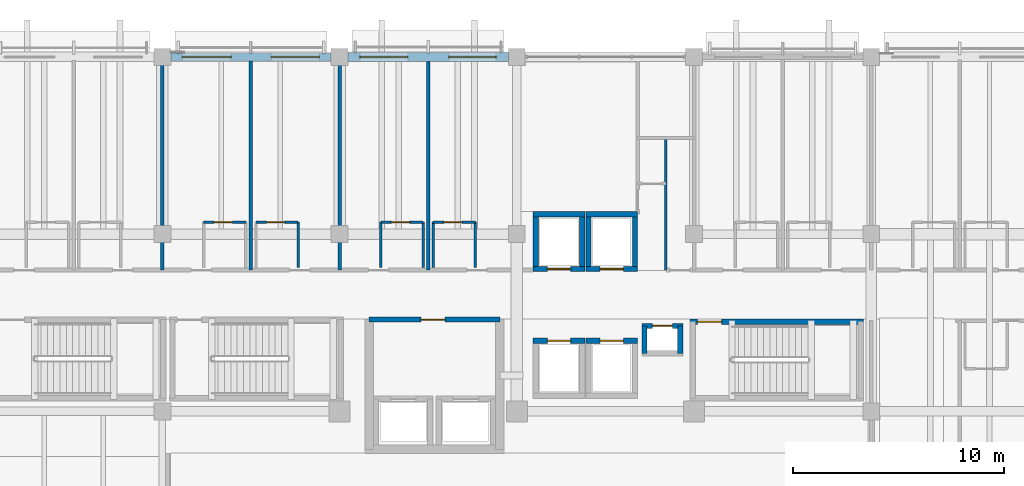
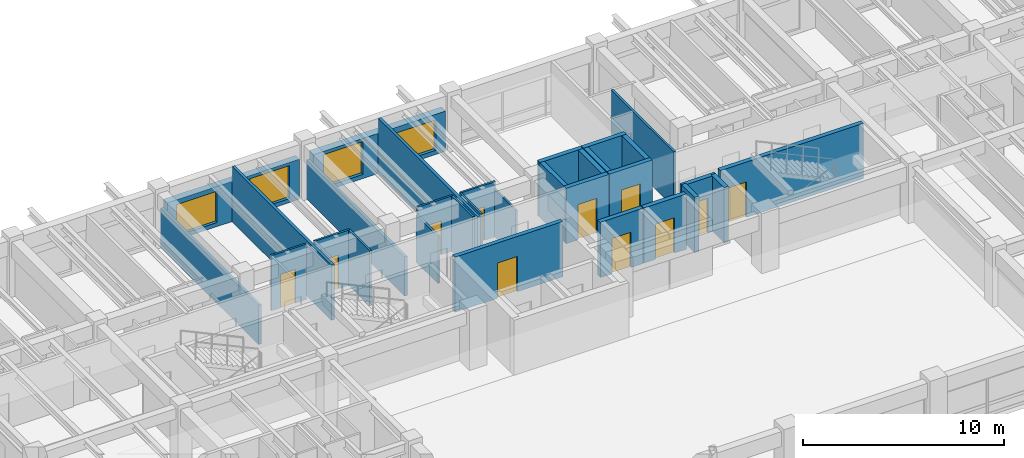
# One storey, part 73 of 118: 31 walls, 11 doors, 4 windows, 15 openings.
"""IFC4 building model written with IfcOpenShell, lengths in metres."""

from ifc_helpers import new_model, si_unit, direction, frame, frame_2d, origin, place, context, subcontext, project, spatial, rectangle, extrude, material, layer, layer_set, type_object, element, fill, save


model = new_model("IFC4")

# Units and contexts
model_context = context("Model", 3, precision=1e-05, world=origin(), true_north=direction((0.0, 1.0)))
body_context = subcontext(model_context, "Body", "Model", "MODEL_VIEW")
ifc_project = project(units=[si_unit("LENGTHUNIT", "METRE"), si_unit("AREAUNIT", "SQUARE_METRE"), si_unit("VOLUMEUNIT", "CUBIC_METRE"), si_unit("PLANEANGLEUNIT", "RADIAN"), si_unit("MASSUNIT", "GRAM", prefix="KILO")], contexts=[model_context])

# Site, building, storey
site_placement = place(None, origin())
site = spatial("IfcSite", under=ifc_project, at=site_placement, CompositionType="ELEMENT")
building_placement = place(site_placement, origin())
building = spatial("IfcBuilding", under=site, at=building_placement, Name="Cumbredor Promenade Congress Hotel", CompositionType="ELEMENT")
storey_placement = place(building_placement, frame((0.0, 0.0, 3.919921875)))
storey = spatial("IfcBuildingStorey", under=building, at=storey_placement, Name="L01", CompositionType="ELEMENT", Elevation=3.919921875)

# Wall, opening, door
ifc_material_1 = material(Name="Moisture-resistant gypsum board on steel studs", Category="steel")
ifc_layer_1 = layer(ifc_material_1, 0.114990234375, Name="Moisture-resistant gypsum board on steel studs", Category="steel")
ifc_layer_set_1 = layer_set([ifc_layer_1], Name="Moisture-resistant gypsum board on steel studs")
wall_type_1 = type_object("IfcWallType", Name="WL-BATH-115", PredefinedType="PARTITIONING", material=ifc_layer_set_1)
wall_1_placement = place(storey_placement, frame((18.760009765625, 109.77001953125, 0.0), z_axis=(0.0, 0.0, 1.0), x_axis=(1.0, 0.0, 0.0)))
wall_1 = element("IfcWall", 1, at=wall_1_placement, inside=storey, type_object=wall_type_1, Name="L01 Interior Partition W-L01-BH-0105", PredefinedType="PARTITIONING", context=body_context, shape_type="SweptSolid", body=[
    extrude(rectangle(XDim=2.0, YDim=0.114990234375, at=frame_2d((1.0, 0.0))), origin(), (0.0, 0.0, 1.0), 3.360107421875),
])
opening_1_placement = place(wall_1_placement, frame((0.5, 0.0, 0.0)))
opening_1 = element("IfcOpeningElement", 2, at=opening_1_placement, cuts=wall_1, Name="Opening ID-01", PredefinedType="OPENING", context=body_context, shape_type="SweptSolid", body=[
    extrude(rectangle(XDim=0.860107421875, YDim=2.050048828125, at=frame_2d((0.43017578125, 1.02490234375))), frame((0.0, 0.0673828125, 0.0), z_axis=(0.0, -1.0, 0.0), x_axis=(1.0, 0.0, 0.0)), (0.0, 0.0, 1.0), 0.135009765625),
])
ifc_material_2 = material(Name="Kiln-dried tropical hardwood", Category="wood")
door_type_1 = type_object("IfcDoorType", Name="DR-BATH-860", OperationType="NOTDEFINED", PredefinedType="DOOR", material=ifc_material_2)
door_1_placement = place(opening_1_placement, origin())
door_1 = element("IfcDoor", 3, at=door_1_placement, inside=storey, type_object=door_type_1, Name="L01 Interior Door W-L01-BH-0105-01", OperationType="SINGLE_SWING_LEFT", OverallHeight=2.050048828125, OverallWidth=0.860107421875, PredefinedType="DOOR", context=body_context, shape_type="SweptSolid", body=[
    extrude(rectangle(XDim=0.860107421875, YDim=2.050048828125, at=frame_2d((0.43017578125, 1.02490234375))), frame((0.0, 0.02490234375, 0.0), z_axis=(0.0, -1.0, 0.0), x_axis=(1.0, 0.0, 0.0)), (0.0, 0.0, 1.0), 0.050048828125),
])
fill(opening_1, door_1)

wall_2_placement = place(storey_placement, frame((21.239990234375, 109.77001953125, 0.0), z_axis=(0.0, 0.0, 1.0), x_axis=(1.0, 0.0, 0.0)))
wall_2 = element("IfcWall", 4, at=wall_2_placement, inside=storey, type_object=wall_type_1, Name="L01 Interior Partition W-L01-BH-0106", PredefinedType="PARTITIONING", context=body_context, shape_type="SweptSolid", body=[
    extrude(rectangle(XDim=2.0, YDim=0.114990234375, at=frame_2d((1.0, 0.0))), origin(), (0.0, 0.0, 1.0), 3.360107421875),
])
opening_2_placement = place(wall_2_placement, frame((0.5, 0.0, 0.0)))
opening_2 = element("IfcOpeningElement", 5, at=opening_2_placement, cuts=wall_2, Name="Opening ID-01", PredefinedType="OPENING", context=body_context, shape_type="SweptSolid", body=[
    extrude(rectangle(XDim=0.860107421875, YDim=2.050048828125, at=frame_2d((0.43017578125, 1.02490234375))), frame((0.0, 0.0673828125, 0.0), z_axis=(0.0, -1.0, 0.0), x_axis=(1.0, 0.0, 0.0)), (0.0, 0.0, 1.0), 0.135009765625),
])
door_2_placement = place(opening_2_placement, origin())
door_2 = element("IfcDoor", 6, at=door_2_placement, inside=storey, type_object=door_type_1, Name="L01 Interior Door W-L01-BH-0106-01", OperationType="SINGLE_SWING_RIGHT", OverallHeight=2.050048828125, OverallWidth=0.860107421875, PredefinedType="DOOR", context=body_context, shape_type="SweptSolid", body=[
    extrude(rectangle(XDim=0.860107421875, YDim=2.050048828125, at=frame_2d((0.43017578125, 1.02490234375))), frame((0.0, 0.02490234375, 0.0), z_axis=(0.0, -1.0, 0.0), x_axis=(1.0, 0.0, 0.0)), (0.0, 0.0, 1.0), 0.050048828125),
])
fill(opening_2, door_2)

# Wall
wall_3_placement = place(storey_placement, frame((23.239990234375, 107.6201171875, 0.0), z_axis=(0.0, 0.0, 1.0), x_axis=(0.0, 1.0, 0.0)))
element("IfcWall", 7, at=wall_3_placement, inside=storey, type_object=wall_type_1, Name="L01 Interior Partition W-L01-BV2-0106", PredefinedType="PARTITIONING", context=body_context, shape_type="SweptSolid", body=[
    extrude(rectangle(XDim=2.14990234375, YDim=0.114990234375, at=frame_2d((1.074951171875, 0.0))), origin(), (0.0, 0.0, 1.0), 3.360107421875),
])

# Wall, opening, door
wall_4_placement = place(storey_placement, frame((27.159912109375, 109.77001953125, 0.0), z_axis=(0.0, 0.0, 1.0), x_axis=(1.0, 0.0, 0.0)))
wall_4 = element("IfcWall", 8, at=wall_4_placement, inside=storey, type_object=wall_type_1, Name="L01 Interior Partition W-L01-BH-0107", PredefinedType="PARTITIONING", context=body_context, shape_type="SweptSolid", body=[
    extrude(rectangle(XDim=2.0, YDim=0.114990234375, at=frame_2d((1.0, 0.0))), origin(), (0.0, 0.0, 1.0), 3.360107421875),
])
opening_3_placement = place(wall_4_placement, frame((0.5, 0.0, 0.0)))
opening_3 = element("IfcOpeningElement", 9, at=opening_3_placement, cuts=wall_4, Name="Opening ID-01", PredefinedType="OPENING", context=body_context, shape_type="SweptSolid", body=[
    extrude(rectangle(XDim=0.860107421875, YDim=2.050048828125, at=frame_2d((0.43017578125, 1.02490234375))), frame((0.0, 0.0673828125, 0.0), z_axis=(0.0, -1.0, 0.0), x_axis=(1.0, 0.0, 0.0)), (0.0, 0.0, 1.0), 0.135009765625),
])
door_3_placement = place(opening_3_placement, origin())
door_3 = element("IfcDoor", 10, at=door_3_placement, inside=storey, type_object=door_type_1, Name="L01 Interior Door W-L01-BH-0107-01", OperationType="SINGLE_SWING_LEFT", OverallHeight=2.050048828125, OverallWidth=0.860107421875, PredefinedType="DOOR", context=body_context, shape_type="SweptSolid", body=[
    extrude(rectangle(XDim=0.860107421875, YDim=2.050048828125, at=frame_2d((0.43017578125, 1.02490234375))), frame((0.0, 0.02490234375, 0.0), z_axis=(0.0, -1.0, 0.0), x_axis=(1.0, 0.0, 0.0)), (0.0, 0.0, 1.0), 0.050048828125),
])
fill(opening_3, door_3)

# Walls
wall_5_placement = place(storey_placement, frame((27.159912109375, 107.6201171875, 0.0), z_axis=(0.0, 0.0, 1.0), x_axis=(0.0, 1.0, 0.0)))
element("IfcWall", 11, at=wall_5_placement, inside=storey, type_object=wall_type_1, Name="L01 Interior Partition W-L01-BV1-0107", PredefinedType="PARTITIONING", context=body_context, shape_type="SweptSolid", body=[
    extrude(rectangle(XDim=2.14990234375, YDim=0.114990234375, at=frame_2d((1.074951171875, 0.0))), origin(), (0.0, 0.0, 1.0), 2.882080078125),
])
wall_6_placement = place(storey_placement, frame((29.159912109375, 107.6201171875, 0.0), z_axis=(0.0, 0.0, 1.0), x_axis=(0.0, 1.0, 0.0)))
element("IfcWall", 12, at=wall_6_placement, inside=storey, type_object=wall_type_1, Name="L01 Interior Partition W-L01-BV2-0107", PredefinedType="PARTITIONING", context=body_context, shape_type="SweptSolid", body=[
    extrude(rectangle(XDim=2.14990234375, YDim=0.114990234375, at=frame_2d((1.074951171875, 0.0))), origin(), (0.0, 0.0, 1.0), 3.360107421875),
])

# Wall, opening, door
wall_7_placement = place(storey_placement, frame((29.639892578125, 109.77001953125, 0.0), z_axis=(0.0, 0.0, 1.0), x_axis=(1.0, 0.0, 0.0)))
wall_7 = element("IfcWall", 13, at=wall_7_placement, inside=storey, type_object=wall_type_1, Name="L01 Interior Partition W-L01-BH-0108", PredefinedType="PARTITIONING", context=body_context, shape_type="SweptSolid", body=[
    extrude(rectangle(XDim=2.0, YDim=0.114990234375, at=frame_2d((1.0, 0.0))), origin(), (0.0, 0.0, 1.0), 3.360107421875),
])
opening_4_placement = place(wall_7_placement, frame((0.5, 0.0, 0.0)))
opening_4 = element("IfcOpeningElement", 14, at=opening_4_placement, cuts=wall_7, Name="Opening ID-01", PredefinedType="OPENING", context=body_context, shape_type="SweptSolid", body=[
    extrude(rectangle(XDim=0.860107421875, YDim=2.050048828125, at=frame_2d((0.43017578125, 1.02490234375))), frame((0.0, 0.0673828125, 0.0), z_axis=(0.0, -1.0, 0.0), x_axis=(1.0, 0.0, 0.0)), (0.0, 0.0, 1.0), 0.135009765625),
])
door_4_placement = place(opening_4_placement, origin())
door_4 = element("IfcDoor", 15, at=door_4_placement, inside=storey, type_object=door_type_1, Name="L01 Interior Door W-L01-BH-0108-01", OperationType="SINGLE_SWING_RIGHT", OverallHeight=2.050048828125, OverallWidth=0.860107421875, PredefinedType="DOOR", context=body_context, shape_type="SweptSolid", body=[
    extrude(rectangle(XDim=0.860107421875, YDim=2.050048828125, at=frame_2d((0.43017578125, 1.02490234375))), frame((0.0, 0.02490234375, 0.0), z_axis=(0.0, -1.0, 0.0), x_axis=(1.0, 0.0, 0.0)), (0.0, 0.0, 1.0), 0.050048828125),
])
fill(opening_4, door_4)

# Walls
wall_8_placement = place(storey_placement, frame((29.639892578125, 107.6201171875, 0.0), z_axis=(0.0, 0.0, 1.0), x_axis=(0.0, 1.0, 0.0)))
element("IfcWall", 16, at=wall_8_placement, inside=storey, type_object=wall_type_1, Name="L01 Interior Partition W-L01-BV1-0108", PredefinedType="PARTITIONING", context=body_context, shape_type="SweptSolid", body=[
    extrude(rectangle(XDim=2.14990234375, YDim=0.114990234375, at=frame_2d((1.074951171875, 0.0))), origin(), (0.0, 0.0, 1.0), 3.360107421875),
])
wall_9_placement = place(storey_placement, frame((31.639892578125, 107.6201171875, 0.0), z_axis=(0.0, 0.0, 1.0), x_axis=(0.0, 1.0, 0.0)))
element("IfcWall", 17, at=wall_9_placement, inside=storey, type_object=wall_type_1, Name="L01 Interior Partition W-L01-BV2-0108", PredefinedType="PARTITIONING", context=body_context, shape_type="SweptSolid", body=[
    extrude(rectangle(XDim=2.14990234375, YDim=0.114990234375, at=frame_2d((1.074951171875, 0.0))), origin(), (0.0, 0.0, 1.0), 2.882080078125),
])

# Wall, openings, windows
ifc_material_3 = material(Name="Concrete C40/50", Category="concrete")
ifc_layer_2 = layer(ifc_material_3, 0.3798828125, Name="Concrete C40/50", Category="concrete")
ifc_layer_set_2 = layer_set([ifc_layer_2], Name="Concrete C40/50")
wall_type_2 = type_object("IfcWallType", Name="WL-EXT-380", PredefinedType="SOLIDWALL", material=ifc_layer_set_2)
wall_10_placement = place(storey_placement, frame((17.200927734375, 117.60009765625, 0.0), z_axis=(0.0, 0.0, 1.0), x_axis=(1.0, 0.0, 0.0)))
wall_10 = element("IfcWall", 18, at=wall_10_placement, inside=storey, type_object=wall_type_2, Name="L01 Stepped Congress Hotel Wing North Envelope Wall 3", PredefinedType="SOLIDWALL", context=body_context, shape_type="SweptSolid", body=[
    extrude(rectangle(XDim=7.59814453125, YDim=0.3798828125, at=frame_2d((3.799072265625, 0.0))), origin(), (0.0, 0.0, 1.0), 2.445068359375),
])
opening_5_placement = place(wall_10_placement, frame((0.5390625, 0.0, 0.25)))
opening_5 = element("IfcOpeningElement", 19, at=opening_5_placement, cuts=wall_10, Name="Opening WN-36", PredefinedType="OPENING", context=body_context, shape_type="SweptSolid", body=[
    extrude(rectangle(XDim=2.320068359375, YDim=1.89990234375, at=frame_2d((1.16015625, 0.949951171875))), frame((0.0, 0.199951171875, 0.0), z_axis=(0.0, -1.0, 0.0), x_axis=(1.0, 0.0, 0.0)), (0.0, 0.0, 1.0), 0.39990234375),
])
opening_6_placement = place(wall_10_placement, frame((4.759033203125, 0.0, 0.25)))
opening_6 = element("IfcOpeningElement", 20, at=opening_6_placement, cuts=wall_10, Name="Opening WN-40", PredefinedType="OPENING", context=body_context, shape_type="SweptSolid", body=[
    extrude(rectangle(XDim=2.280029296875, YDim=2.0, at=frame_2d((1.14013671875, 1.0))), frame((0.0, 0.199951171875, 0.0), z_axis=(0.0, -1.0, 0.0), x_axis=(1.0, 0.0, 0.0)), (0.0, 0.0, 1.0), 0.39990234375),
])
ifc_material_4 = material(Name="Thermally broken anodized aluminium and low-E glass", Category="aluminium")
window_type_1 = type_object("IfcWindowType", Name="Hospitality Floor-to-Ceiling Window WN-36 2320x1900", PartitioningType="DOUBLE_PANEL_VERTICAL", PredefinedType="WINDOW", material=ifc_material_4)
window_1_placement = place(opening_5_placement, origin())
window_1 = element("IfcWindow", 21, at=window_1_placement, inside=storey, type_object=window_type_1, Name="L01 Wide Hospitality Window 0204", OverallHeight=1.89990234375, OverallWidth=2.320068359375, PartitioningType="DOUBLE_PANEL_VERTICAL", PredefinedType="WINDOW", context=body_context, shape_type="SweptSolid", body=[
    extrude(rectangle(XDim=2.320068359375, YDim=1.89990234375, at=frame_2d((1.16015625, 0.949951171875))), frame((0.0, 0.030029296875, 0.0), z_axis=(0.0, -1.0, 0.0), x_axis=(1.0, 0.0, 0.0)), (0.0, 0.0, 1.0), 0.06005859375),
])
fill(opening_5, window_1)
window_type_2 = type_object("IfcWindowType", Name="Hospitality Floor-to-Ceiling Window WN-40 2280x2000", PartitioningType="DOUBLE_PANEL_VERTICAL", PredefinedType="WINDOW", material=ifc_material_4)
window_2_placement = place(opening_6_placement, origin())
window_2 = element("IfcWindow", 22, at=window_2_placement, inside=storey, type_object=window_type_2, Name="L01 Wide Hospitality Window 0205", OverallHeight=2.0, OverallWidth=2.280029296875, PartitioningType="DOUBLE_PANEL_VERTICAL", PredefinedType="WINDOW", context=body_context, shape_type="SweptSolid", body=[
    extrude(rectangle(XDim=2.280029296875, YDim=2.0, at=frame_2d((1.14013671875, 1.0))), frame((0.0, 0.030029296875, 0.0), z_axis=(0.0, -1.0, 0.0), x_axis=(1.0, 0.0, 0.0)), (0.0, 0.0, 1.0), 0.06005859375),
])
fill(opening_6, window_2)

ifc_layer_3 = layer(ifc_material_3, 0.425048828125, Name="Concrete C40/50", Category="concrete")
ifc_layer_set_3 = layer_set([ifc_layer_3], Name="Concrete C40/50")
wall_type_3 = type_object("IfcWallType", Name="WL-EXT-425", PredefinedType="SOLIDWALL", material=ifc_layer_set_3)
wall_11_placement = place(storey_placement, frame((25.60107421875, 117.60009765625, 0.0), z_axis=(0.0, 0.0, 1.0), x_axis=(1.0, 0.0, 0.0)))
wall_11 = element("IfcWall", 23, at=wall_11_placement, inside=storey, type_object=wall_type_3, Name="L01 Stepped Congress Hotel Wing North Envelope Wall 4", PredefinedType="SOLIDWALL", context=body_context, shape_type="SweptSolid", body=[
    extrude(rectangle(XDim=7.597900390625, YDim=0.425048828125, at=frame_2d((3.798828125, 0.0))), origin(), (0.0, 0.0, 1.0), 2.445068359375),
])
opening_7_placement = place(wall_11_placement, frame((0.55908203125, 0.0, 0.25)))
opening_7 = element("IfcOpeningElement", 24, at=opening_7_placement, cuts=wall_11, Name="Opening WN-40", PredefinedType="OPENING", context=body_context, shape_type="SweptSolid", body=[
    extrude(rectangle(XDim=2.280029296875, YDim=2.0, at=frame_2d((1.14013671875, 1.0))), frame((0.0, 0.22265625, 0.0), z_axis=(0.0, -1.0, 0.0), x_axis=(1.0, 0.0, 0.0)), (0.0, 0.0, 1.0), 0.445068359375),
])
opening_8_placement = place(wall_11_placement, frame((4.77392578125, 0.0, 0.25)))
opening_8 = element("IfcOpeningElement", 25, at=opening_8_placement, cuts=wall_11, Name="Opening WN-01", PredefinedType="OPENING", context=body_context, shape_type="SweptSolid", body=[
    extrude(rectangle(XDim=2.25, YDim=1.85009765625, at=frame_2d((1.125, 0.925048828125))), frame((0.0, 0.22265625, 0.0), z_axis=(0.0, -1.0, 0.0), x_axis=(1.0, 0.0, 0.0)), (0.0, 0.0, 1.0), 0.445068359375),
])
window_type_3 = type_object("IfcWindowType", Name="Hospitality Floor-to-Ceiling Window WN-01 2250x1850", PartitioningType="DOUBLE_PANEL_VERTICAL", PredefinedType="WINDOW", material=ifc_material_4)
window_3_placement = place(opening_8_placement, origin())
window_3 = element("IfcWindow", 26, at=window_3_placement, inside=storey, type_object=window_type_3, Name="L01 Wide Hospitality Window 0207", OverallHeight=1.85009765625, OverallWidth=2.25, PartitioningType="DOUBLE_PANEL_VERTICAL", PredefinedType="WINDOW", context=body_context, shape_type="SweptSolid", body=[
    extrude(rectangle(XDim=2.25, YDim=1.85009765625, at=frame_2d((1.125, 0.925048828125))), frame((0.0, 0.030029296875, 0.0), z_axis=(0.0, -1.0, 0.0), x_axis=(1.0, 0.0, 0.0)), (0.0, 0.0, 1.0), 0.06005859375),
])
fill(opening_8, window_3)
window_4_placement = place(opening_7_placement, origin())
window_4 = element("IfcWindow", 27, at=window_4_placement, inside=storey, type_object=window_type_2, Name="L01 Wide Hospitality Window 0206", OverallHeight=2.0, OverallWidth=2.280029296875, PartitioningType="DOUBLE_PANEL_VERTICAL", PredefinedType="WINDOW", context=body_context, shape_type="SweptSolid", body=[
    extrude(rectangle(XDim=2.280029296875, YDim=2.0, at=frame_2d((1.14013671875, 1.0))), frame((0.0, 0.030029296875, 0.0), z_axis=(0.0, -1.0, 0.0), x_axis=(1.0, 0.0, 0.0)), (0.0, 0.0, 1.0), 0.06005859375),
])
fill(opening_7, window_4)

# Wall, opening, door
ifc_layer_4 = layer(ifc_material_3, 0.239990234375, Name="Concrete C40/50", Category="concrete")
ifc_layer_set_4 = layer_set([ifc_layer_4], Name="Concrete C40/50")
wall_type_4 = type_object("IfcWallType", Name="WL-FFL-240", PredefinedType="SOLIDWALL", material=ifc_layer_set_4)
wall_12_placement = place(storey_placement, frame((26.60009765625, 105.14990234375, 0.0), z_axis=(0.0, 0.0, 1.0), x_axis=(1.0, 0.0, 0.0)))
wall_12 = element("IfcWall", 28, at=wall_12_placement, inside=storey, type_object=wall_type_4, Name="L01 Interior Partition W-FFL-L01-N", PredefinedType="SOLIDWALL", context=body_context, shape_type="SweptSolid", body=[
    extrude(rectangle(XDim=6.199951171875, YDim=0.239990234375, at=frame_2d((3.10009765625, 0.0))), origin(), (0.0, 0.0, 1.0), 3.360107421875),
])
opening_9_placement = place(wall_12_placement, frame((2.449951171875, 0.0, 0.0)))
opening_9 = element("IfcOpeningElement", 29, at=opening_9_placement, cuts=wall_12, Name="Opening FD-05", PredefinedType="OPENING", context=body_context, shape_type="SweptSolid", body=[
    extrude(rectangle(XDim=1.14990234375, YDim=2.14990234375, at=frame_2d((0.574951171875, 1.074951171875))), frame((0.0, 0.1298828125, 0.0), z_axis=(0.0, -1.0, 0.0), x_axis=(1.0, 0.0, 0.0)), (0.0, 0.0, 1.0), 0.260009765625),
])
ifc_material_5 = material(Name="Painted galvanized steel fire door", Category="steel")
door_type_2 = type_object("IfcDoorType", Name="DR-SGL-FD60-1150", OperationType="NOTDEFINED", PredefinedType="DOOR", material=ifc_material_5)
door_5_placement = place(opening_9_placement, origin())
door_5 = element("IfcDoor", 30, at=door_5_placement, inside=storey, type_object=door_type_2, Name="L01 Interior Door W-FFL-L01-N-01", OperationType="SINGLE_SWING_RIGHT", OverallHeight=2.14990234375, OverallWidth=1.14990234375, PredefinedType="DOOR", context=body_context, shape_type="SweptSolid", body=[
    extrude(rectangle(XDim=1.14990234375, YDim=2.14990234375, at=frame_2d((0.574951171875, 1.074951171875))), frame((0.0, 0.02490234375, 0.0), z_axis=(0.0, -1.0, 0.0), x_axis=(1.0, 0.0, 0.0)), (0.0, 0.0, 1.0), 0.050048828125),
])
fill(opening_9, door_5)

# Wall
ifc_material_6 = material(Name="Gypsum board on steel studs", Category="steel")
ifc_layer_5 = layer(ifc_material_6, 0.125, Name="Gypsum board on steel studs", Category="steel")
ifc_layer_set_5 = layer_set([ifc_layer_5], Name="Gypsum board on steel studs")
wall_type_5 = type_object("IfcWallType", Name="WL-PART-125", PredefinedType="PARTITIONING", material=ifc_layer_set_5)
wall_13_placement = place(storey_placement, frame((40.659912109375, 107.5, 0.0), z_axis=(0.0, 0.0, 1.0), x_axis=(0.0, 1.0, 0.0)))
element("IfcWall", 31, at=wall_13_placement, inside=storey, type_object=wall_type_5, Name="L01 Interior Partition W-L01-HK-DIV", PredefinedType="PARTITIONING", context=body_context, shape_type="SweptSolid", body=[
    extrude(rectangle(XDim=6.25, YDim=0.125, at=frame_2d((3.125, 0.0))), origin(), (0.0, 0.0, 1.0), 3.360107421875),
])

# Wall, opening, door
ifc_layer_6 = layer(ifc_material_3, 0.2548828125, Name="Concrete C40/50", Category="concrete")
ifc_layer_set_6 = layer_set([ifc_layer_6], Name="Concrete C40/50")
wall_type_6 = type_object("IfcWallType", Name="WL-SHAFT-250", PredefinedType="SOLIDWALL", material=ifc_layer_set_6)
wall_14_placement = place(storey_placement, frame((41.802490234375, 105.050048828125, 0.0), z_axis=(0.0, 0.0, 1.0), x_axis=(1.0, 0.0, 0.0)))
wall_14 = element("IfcWall", 32, at=wall_14_placement, inside=storey, type_object=wall_type_6, Name="STAIR-ST-03-L01 Shaft Wall North", PredefinedType="SOLIDWALL", context=body_context, shape_type="SweptSolid", body=[
    extrude(rectangle(XDim=8.22509765625, YDim=0.2548828125, at=frame_2d((4.112548828125, 0.0))), origin(), (0.0, 0.0, 1.0), 3.360107421875),
])
opening_10_placement = place(wall_14_placement, frame((0.35009765625, 0.0, 0.0)))
opening_10 = element("IfcOpeningElement", 33, at=opening_10_placement, cuts=wall_14, Name="Opening SD-01", PredefinedType="OPENING", context=body_context, shape_type="SweptSolid", body=[
    extrude(rectangle(XDim=1.159912109375, YDim=2.14990234375, at=frame_2d((0.580078125, 1.074951171875))), frame((0.0, 0.137451171875, 0.0), z_axis=(0.0, -1.0, 0.0), x_axis=(1.0, 0.0, 0.0)), (0.0, 0.0, 1.0), 0.27490234375),
])
door_type_3 = type_object("IfcDoorType", Name="DR-STAIR-FD90-1150", OperationType="NOTDEFINED", PredefinedType="DOOR", material=ifc_material_5)
door_6_placement = place(opening_10_placement, origin())
door_6 = element("IfcDoor", 34, at=door_6_placement, inside=storey, type_object=door_type_3, Name="L01 Protected Exit Stair ST-03 Door", OperationType="SINGLE_SWING_LEFT", OverallHeight=2.14990234375, OverallWidth=1.159912109375, PredefinedType="DOOR", context=body_context, shape_type="SweptSolid", body=[
    extrude(rectangle(XDim=1.159912109375, YDim=2.14990234375, at=frame_2d((0.580078125, 1.074951171875))), frame((0.0, 0.02490234375, 0.0), z_axis=(0.0, -1.0, 0.0), x_axis=(1.0, 0.0, 0.0)), (0.0, 0.0, 1.0), 0.050048828125),
])
fill(opening_10, door_6)

wall_15_placement = place(storey_placement, frame((34.37255859375, 107.550048828125, 0.0), z_axis=(0.0, 0.0, 1.0), x_axis=(1.0, 0.0, 0.0)))
wall_15 = element("IfcWall", 35, at=wall_15_placement, inside=storey, type_object=wall_type_6, Name="SHAFT-PL-01-L01 Shaft Wall South", PredefinedType="SOLIDWALL", context=body_context, shape_type="SweptSolid", body=[
    extrude(rectangle(XDim=2.454833984375, YDim=0.2548828125, at=frame_2d((1.2275390625, 0.0))), origin(), (0.0, 0.0, 1.0), 3.360107421875),
])
opening_11_placement = place(wall_15_placement, frame((0.677490234375, 0.0, 0.0)))
opening_11 = element("IfcOpeningElement", 36, at=opening_11_placement, cuts=wall_15, Name="Opening LD-01", PredefinedType="OPENING", context=body_context, shape_type="SweptSolid", body=[
    extrude(rectangle(XDim=1.10009765625, YDim=2.14990234375, at=frame_2d((0.550048828125, 1.074951171875))), frame((0.0, 0.137451171875, 0.0), z_axis=(0.0, -1.0, 0.0), x_axis=(1.0, 0.0, 0.0)), (0.0, 0.0, 1.0), 0.27490234375),
])
ifc_material_7 = material(Name="Brushed stainless steel", Category="steel")
door_type_4 = type_object("IfcDoorType", Name="Lift Landing Sliding Door LD-01 1100x2150", OperationType="DOUBLE_DOOR_SLIDING", PredefinedType="DOOR", material=ifc_material_7)
door_7_placement = place(opening_11_placement, origin())
door_7 = element("IfcDoor", 37, at=door_7_placement, inside=storey, type_object=door_type_4, Name="L01 Hotel Passenger Lift PL-01 Sliding Landing Door", OperationType="DOUBLE_DOOR_SLIDING", OverallHeight=2.14990234375, OverallWidth=1.10009765625, PredefinedType="DOOR", context=body_context, shape_type="SweptSolid", body=[
    extrude(rectangle(XDim=1.10009765625, YDim=2.14990234375, at=frame_2d((0.550048828125, 1.074951171875))), frame((0.0, 0.02490234375, 0.0), z_axis=(0.0, -1.0, 0.0), x_axis=(1.0, 0.0, 0.0)), (0.0, 0.0, 1.0), 0.050048828125),
])
fill(opening_11, door_7)

# Walls
wall_16_placement = place(storey_placement, frame((34.37255859375, 110.14990234375, 0.0), z_axis=(0.0, 0.0, 1.0), x_axis=(1.0, 0.0, 0.0)))
element("IfcWall", 38, at=wall_16_placement, inside=storey, type_object=wall_type_6, Name="SHAFT-PL-01-L01 Shaft Wall North", PredefinedType="SOLIDWALL", context=body_context, shape_type="SweptSolid", body=[
    extrude(rectangle(XDim=2.454833984375, YDim=0.2548828125, at=frame_2d((1.2275390625, 0.0))), origin(), (0.0, 0.0, 1.0), 3.360107421875),
])
for number, where, z_axis, x_axis, name in (
    (39, (34.5, 107.550048828125, 0.0), (0.0, 0.0, 1.0), (0.0, 1.0, 0.0), "SHAFT-PL-01-L01 Shaft Wall West"),
    (40, (36.699951171875, 107.550048828125, 0.0), (0.0, 0.0, 1.0), (0.0, 1.0, 0.0), "SHAFT-PL-01-L01 Shaft Wall East"),
):
    element("IfcWall", number, at=place(storey_placement, frame(where, z_axis=z_axis, x_axis=x_axis)), inside=storey, type_object=wall_type_6, Name=name, PredefinedType="SOLIDWALL", context=body_context, shape_type="SweptSolid", body=[
        extrude(rectangle(XDim=2.599853515625, YDim=0.2548828125, at=frame_2d((1.2998046875, 0.0))), origin(), (0.0, 0.0, 1.0), 3.360107421875),
    ])

# Wall, opening, door
wall_17_placement = place(storey_placement, frame((36.87255859375, 107.550048828125, 0.0), z_axis=(0.0, 0.0, 1.0), x_axis=(1.0, 0.0, 0.0)))
wall_17 = element("IfcWall", 41, at=wall_17_placement, inside=storey, type_object=wall_type_6, Name="SHAFT-PL-02-L01 Shaft Wall South", PredefinedType="SOLIDWALL", context=body_context, shape_type="SweptSolid", body=[
    extrude(rectangle(XDim=2.454833984375, YDim=0.2548828125, at=frame_2d((1.2275390625, 0.0))), origin(), (0.0, 0.0, 1.0), 3.360107421875),
])
opening_12_placement = place(wall_17_placement, frame((0.677490234375, 0.0, 0.0)))
opening_12 = element("IfcOpeningElement", 42, at=opening_12_placement, cuts=wall_17, Name="Opening LD-01", PredefinedType="OPENING", context=body_context, shape_type="SweptSolid", body=[
    extrude(rectangle(XDim=1.10009765625, YDim=2.14990234375, at=frame_2d((0.550048828125, 1.074951171875))), frame((0.0, 0.137451171875, 0.0), z_axis=(0.0, -1.0, 0.0), x_axis=(1.0, 0.0, 0.0)), (0.0, 0.0, 1.0), 0.27490234375),
])
door_8_placement = place(opening_12_placement, origin())
door_8 = element("IfcDoor", 43, at=door_8_placement, inside=storey, type_object=door_type_4, Name="L01 Hotel Passenger Lift PL-02 Sliding Landing Door", OperationType="DOUBLE_DOOR_SLIDING", OverallHeight=2.14990234375, OverallWidth=1.10009765625, PredefinedType="DOOR", context=body_context, shape_type="SweptSolid", body=[
    extrude(rectangle(XDim=1.10009765625, YDim=2.14990234375, at=frame_2d((0.550048828125, 1.074951171875))), frame((0.0, 0.02490234375, 0.0), z_axis=(0.0, -1.0, 0.0), x_axis=(1.0, 0.0, 0.0)), (0.0, 0.0, 1.0), 0.050048828125),
])
fill(opening_12, door_8)

# Walls
wall_18_placement = place(storey_placement, frame((36.87255859375, 110.14990234375, 0.0), z_axis=(0.0, 0.0, 1.0), x_axis=(1.0, 0.0, 0.0)))
element("IfcWall", 44, at=wall_18_placement, inside=storey, type_object=wall_type_6, Name="SHAFT-PL-02-L01 Shaft Wall North", PredefinedType="SOLIDWALL", context=body_context, shape_type="SweptSolid", body=[
    extrude(rectangle(XDim=2.454833984375, YDim=0.2548828125, at=frame_2d((1.2275390625, 0.0))), origin(), (0.0, 0.0, 1.0), 3.360107421875),
])
for number, where, z_axis, x_axis, name in (
    (45, (37.0, 107.550048828125, 0.0), (0.0, 0.0, 1.0), (0.0, 1.0, 0.0), "SHAFT-PL-02-L01 Shaft Wall West"),
    (46, (39.199951171875, 107.550048828125, 0.0), (0.0, 0.0, 1.0), (0.0, 1.0, 0.0), "SHAFT-PL-02-L01 Shaft Wall East"),
):
    element("IfcWall", number, at=place(storey_placement, frame(where, z_axis=z_axis, x_axis=x_axis)), inside=storey, type_object=wall_type_6, Name=name, PredefinedType="SOLIDWALL", context=body_context, shape_type="SweptSolid", body=[
        extrude(rectangle(XDim=2.599853515625, YDim=0.2548828125, at=frame_2d((1.2998046875, 0.0))), origin(), (0.0, 0.0, 1.0), 3.360107421875),
    ])

# Wall, opening, door
wall_19_placement = place(storey_placement, frame((34.37255859375, 104.14990234375, 0.0), z_axis=(0.0, 0.0, 1.0), x_axis=(1.0, 0.0, 0.0)))
wall_19 = element("IfcWall", 47, at=wall_19_placement, inside=storey, type_object=wall_type_6, Name="SHAFT-PL-03-L01 Shaft Wall North", PredefinedType="SOLIDWALL", context=body_context, shape_type="SweptSolid", body=[
    extrude(rectangle(XDim=2.454833984375, YDim=0.2548828125, at=frame_2d((1.2275390625, 0.0))), origin(), (0.0, 0.0, 1.0), 3.360107421875),
])
opening_13_placement = place(wall_19_placement, frame((0.677490234375, 0.0, 0.0)))
opening_13 = element("IfcOpeningElement", 48, at=opening_13_placement, cuts=wall_19, Name="Opening LD-01", PredefinedType="OPENING", context=body_context, shape_type="SweptSolid", body=[
    extrude(rectangle(XDim=1.10009765625, YDim=2.14990234375, at=frame_2d((0.550048828125, 1.074951171875))), frame((0.0, 0.137451171875, 0.0), z_axis=(0.0, -1.0, 0.0), x_axis=(1.0, 0.0, 0.0)), (0.0, 0.0, 1.0), 0.27490234375),
])
door_9_placement = place(opening_13_placement, origin())
door_9 = element("IfcDoor", 49, at=door_9_placement, inside=storey, type_object=door_type_4, Name="L01 Hotel Passenger Lift PL-03 Sliding Landing Door", OperationType="DOUBLE_DOOR_SLIDING", OverallHeight=2.14990234375, OverallWidth=1.10009765625, PredefinedType="DOOR", context=body_context, shape_type="SweptSolid", body=[
    extrude(rectangle(XDim=1.10009765625, YDim=2.14990234375, at=frame_2d((0.550048828125, 1.074951171875))), frame((0.0, 0.02490234375, 0.0), z_axis=(0.0, -1.0, 0.0), x_axis=(1.0, 0.0, 0.0)), (0.0, 0.0, 1.0), 0.050048828125),
])
fill(opening_13, door_9)

wall_20_placement = place(storey_placement, frame((36.87255859375, 104.14990234375, 0.0), z_axis=(0.0, 0.0, 1.0), x_axis=(1.0, 0.0, 0.0)))
wall_20 = element("IfcWall", 50, at=wall_20_placement, inside=storey, type_object=wall_type_6, Name="SHAFT-PL-04-L01 Shaft Wall North", PredefinedType="SOLIDWALL", context=body_context, shape_type="SweptSolid", body=[
    extrude(rectangle(XDim=2.454833984375, YDim=0.2548828125, at=frame_2d((1.2275390625, 0.0))), origin(), (0.0, 0.0, 1.0), 3.360107421875),
])
opening_14_placement = place(wall_20_placement, frame((0.677490234375, 0.0, 0.0)))
opening_14 = element("IfcOpeningElement", 51, at=opening_14_placement, cuts=wall_20, Name="Opening LD-01", PredefinedType="OPENING", context=body_context, shape_type="SweptSolid", body=[
    extrude(rectangle(XDim=1.10009765625, YDim=2.14990234375, at=frame_2d((0.550048828125, 1.074951171875))), frame((0.0, 0.137451171875, 0.0), z_axis=(0.0, -1.0, 0.0), x_axis=(1.0, 0.0, 0.0)), (0.0, 0.0, 1.0), 0.27490234375),
])
door_10_placement = place(opening_14_placement, origin())
door_10 = element("IfcDoor", 52, at=door_10_placement, inside=storey, type_object=door_type_4, Name="L01 Hotel Passenger Lift PL-04 Sliding Landing Door", OperationType="DOUBLE_DOOR_SLIDING", OverallHeight=2.14990234375, OverallWidth=1.10009765625, PredefinedType="DOOR", context=body_context, shape_type="SweptSolid", body=[
    extrude(rectangle(XDim=1.10009765625, YDim=2.14990234375, at=frame_2d((0.550048828125, 1.074951171875))), frame((0.0, 0.02490234375, 0.0), z_axis=(0.0, -1.0, 0.0), x_axis=(1.0, 0.0, 0.0)), (0.0, 0.0, 1.0), 0.050048828125),
])
fill(opening_14, door_10)

wall_21_placement = place(storey_placement, frame((39.5224609375, 104.85009765625, 0.0), z_axis=(0.0, 0.0, 1.0), x_axis=(1.0, 0.0, 0.0)))
wall_21 = element("IfcWall", 53, at=wall_21_placement, inside=storey, type_object=wall_type_6, Name="RISER-MEP-R1-L01 Shaft Wall North", PredefinedType="SOLIDWALL", context=body_context, shape_type="SweptSolid", body=[
    extrude(rectangle(XDim=1.955078125, YDim=0.2548828125, at=frame_2d((0.9775390625, 0.0))), origin(), (0.0, 0.0, 1.0), 3.360107421875),
])
opening_15_placement = place(wall_21_placement, frame((0.507568359375, 0.0, 0.0)))
opening_15 = element("IfcOpeningElement", 54, at=opening_15_placement, cuts=wall_21, Name="Opening FD-03", PredefinedType="OPENING", context=body_context, shape_type="SweptSolid", body=[
    extrude(rectangle(XDim=0.93994140625, YDim=2.10009765625, at=frame_2d((0.469970703125, 1.050048828125))), frame((0.0, 0.137451171875, 0.0), z_axis=(0.0, -1.0, 0.0), x_axis=(1.0, 0.0, 0.0)), (0.0, 0.0, 1.0), 0.27490234375),
])
door_type_5 = type_object("IfcDoorType", Name="DR-SGL-FD60-950", OperationType="NOTDEFINED", PredefinedType="DOOR", material=ifc_material_5)
door_11_placement = place(opening_15_placement, origin())
door_11 = element("IfcDoor", 55, at=door_11_placement, inside=storey, type_object=door_type_5, Name="L01 Hotel MEP Riser Shaft R1 Access Door", OperationType="SINGLE_SWING_LEFT", OverallHeight=2.10009765625, OverallWidth=0.93994140625, PredefinedType="DOOR", context=body_context, shape_type="SweptSolid", body=[
    extrude(rectangle(XDim=0.93994140625, YDim=2.10009765625, at=frame_2d((0.469970703125, 1.050048828125))), frame((0.0, 0.02490234375, 0.0), z_axis=(0.0, -1.0, 0.0), x_axis=(1.0, 0.0, 0.0)), (0.0, 0.0, 1.0), 0.050048828125),
])
fill(opening_15, door_11)

# Walls
for number, where, z_axis, x_axis, name in (
    (56, (39.64990234375, 103.550048828125, 0.0), (0.0, 0.0, 1.0), (0.0, 1.0, 0.0), "RISER-MEP-R1-L01 Shaft Wall West"),
    (57, (41.35009765625, 103.550048828125, 0.0), (0.0, 0.0, 1.0), (0.0, 1.0, 0.0), "RISER-MEP-R1-L01 Shaft Wall East"),
):
    element("IfcWall", number, at=place(storey_placement, frame(where, z_axis=z_axis, x_axis=x_axis)), inside=storey, type_object=wall_type_6, Name=name, PredefinedType="SOLIDWALL", context=body_context, shape_type="SweptSolid", body=[
        extrude(rectangle(XDim=1.300048828125, YDim=0.2548828125, at=frame_2d((0.64990234375, 0.0))), origin(), (0.0, 0.0, 1.0), 3.360107421875),
    ])
ifc_material_8 = material(Name="Fire-rated acoustic double-stud partition")
ifc_layer_7 = layer(ifc_material_8, 0.1650390625, Name="Fire-rated acoustic double-stud partition")
ifc_layer_set_7 = layer_set([ifc_layer_7], Name="Fire-rated acoustic double-stud partition")
wall_type_7 = type_object("IfcWallType", Name="WL-UNIT-165", PredefinedType="PARTITIONING", material=ifc_layer_set_7)
wall_22_placement = place(storey_placement, frame((21.0, 107.5, 0.0), z_axis=(0.0, 0.0, 1.0), x_axis=(0.0, 1.0, 0.0)))
element("IfcWall", 58, at=wall_22_placement, inside=storey, type_object=wall_type_7, Name="L01 Interior Partition W-L01-N-DIV-2-M", PredefinedType="PARTITIONING", context=body_context, shape_type="SweptSolid", body=[
    extrude(rectangle(XDim=9.909912109375, YDim=0.1650390625, at=frame_2d((4.955078125, 0.0))), origin(), (0.0, 0.0, 1.0), 3.360107421875),
])
wall_23_placement = place(storey_placement, frame((16.800048828125, 107.5, 0.0), z_axis=(0.0, 0.0, 1.0), x_axis=(0.0, 1.0, 0.0)))
element("IfcWall", 59, at=wall_23_placement, inside=storey, type_object=wall_type_7, Name="L01 Interior Partition W-L01-N-DIV-2-G", PredefinedType="PARTITIONING", context=body_context, shape_type="SweptSolid", body=[
    extrude(rectangle(XDim=9.75, YDim=0.1650390625, at=frame_2d((4.875, 0.0))), origin(), (0.0, 0.0, 1.0), 2.39501953125),
])
wall_24_placement = place(storey_placement, frame((29.39990234375, 107.5, 0.0), z_axis=(0.0, 0.0, 1.0), x_axis=(0.0, 1.0, 0.0)))
element("IfcWall", 60, at=wall_24_placement, inside=storey, type_object=wall_type_7, Name="L01 Interior Partition W-L01-N-DIV-3-M", PredefinedType="PARTITIONING", context=body_context, shape_type="SweptSolid", body=[
    extrude(rectangle(XDim=9.887451171875, YDim=0.1650390625, at=frame_2d((4.94384765625, 0.0))), origin(), (0.0, 0.0, 1.0), 3.360107421875),
])
wall_25_placement = place(storey_placement, frame((25.199951171875, 107.5, 0.0), z_axis=(0.0, 0.0, 1.0), x_axis=(0.0, 1.0, 0.0)))
element("IfcWall", 61, at=wall_25_placement, inside=storey, type_object=wall_type_7, Name="L01 Interior Partition W-L01-N-DIV-3-G", PredefinedType="PARTITIONING", context=body_context, shape_type="SweptSolid", body=[
    extrude(rectangle(XDim=9.75, YDim=0.1650390625, at=frame_2d((4.875, 0.0))), origin(), (0.0, 0.0, 1.0), 2.39501953125),
])

save(model, "model.ifc")
